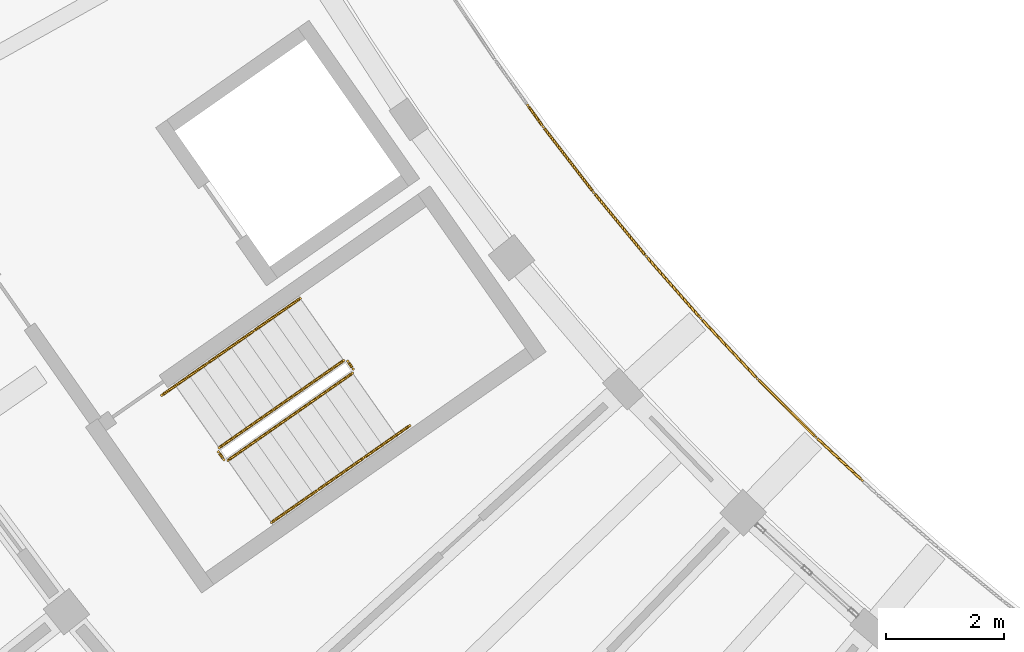
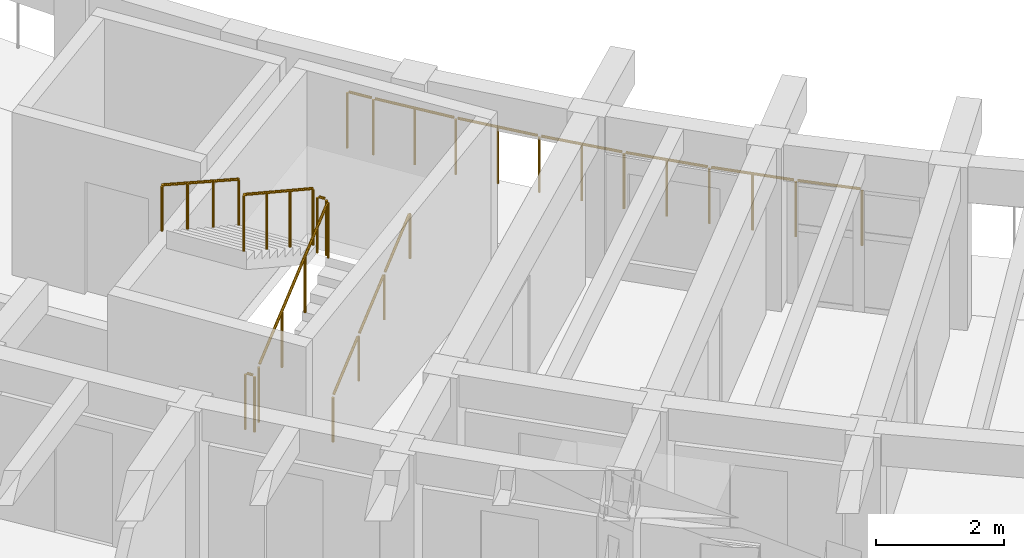
# One storey, part 66 of 81: 11 railings.
"""IFC4 building model written with IfcOpenShell, lengths in metres."""

from ifc_helpers import new_model, si_unit, direction, frame, origin, origin_2d, place, context, subcontext, project, spatial, circle, extrude, material, type_object, element, save


model = new_model("IFC4")

# Units and contexts
model_context = context("Model", 3, precision=1e-05, world=origin(), true_north=direction((0.0, 1.0)))
body_context = subcontext(model_context, "Body", "Model", "MODEL_VIEW")
ifc_project = project(units=[si_unit("LENGTHUNIT", "METRE"), si_unit("AREAUNIT", "SQUARE_METRE"), si_unit("VOLUMEUNIT", "CUBIC_METRE"), si_unit("PLANEANGLEUNIT", "RADIAN"), si_unit("MASSUNIT", "GRAM", prefix="KILO")], contexts=[model_context])

# Site, building, storey
site_placement = place(None, origin())
site = spatial("IfcSite", under=ifc_project, at=site_placement, CompositionType="ELEMENT")
building_placement = place(site_placement, origin())
building = spatial("IfcBuilding", under=site, at=building_placement, Name="Tanwirah Colonnade Gardens", CompositionType="ELEMENT")
storey_placement = place(building_placement, frame((0.0, 0.0, 18.919921875)))
storey = spatial("IfcBuildingStorey", under=building, at=storey_placement, Name="L05", CompositionType="ELEMENT", Elevation=18.919921875)

# Railings
ifc_material_1 = material(Name="Precast concrete C40/50", Category="concrete")
railing_type_1 = type_object("IfcRailingType", Name="BAL-EXT110", PredefinedType="BALUSTRADE", material=ifc_material_1)
railing_1_placement = place(storey_placement, frame((30.484375, 39.403564453125, 0.0)))
element("IfcRailing", 1, at=railing_1_placement, inside=storey, type_object=railing_type_1, Name="Block C L05 Balcony Ribbon Balustrade 3", PredefinedType="BALUSTRADE", context=body_context, shape_type="SweptSolid", body=[
    extrude(circle(Radius=0.02392578125, at=origin_2d()), frame((0.018310546875, -0.025390625, 1.076171875), z_axis=(0.583501451955, -0.812112095444, 0.0), x_axis=(0.812112095444, 0.583501451955, 0.0)), (0.0, 0.0, 1.0), 0.385986328125),
    extrude(circle(Radius=0.02392578125, at=origin_2d()), frame((0.2822265625, -0.391357421875, 1.076171875), z_axis=(0.609651512095, -0.792669561546, 0.0), x_axis=(0.792669561546, 0.609651512095, 0.0)), (0.0, 0.0, 1.0), 1.33154296875),
    extrude(circle(Radius=0.02392578125, at=origin_2d()), frame((1.134521484375, -1.49755859375, 1.076171875), z_axis=(0.635209885743, -0.77233956331, 0.0), x_axis=(0.77233956331, 0.635209885743, 0.0)), (0.0, 0.0, 1.0), 1.33154296875),
    extrude(circle(Radius=0.02392578125, at=origin_2d()), frame((2.022705078125, -2.57568359375, 1.076171875), z_axis=(0.660288280901, -0.751012240982, 0.0), x_axis=(0.751012240982, 0.660288280901, 0.0)), (0.0, 0.0, 1.0), 1.33154296875),
    extrude(circle(Radius=0.02392578125, at=origin_2d()), frame((2.945556640625, -3.623779296875, 1.076171875), z_axis=(0.684424509294, -0.729083733928, 0.0), x_axis=(0.729083733928, 0.684424509294, 0.0)), (0.0, 0.0, 1.0), 1.33154296875),
    extrude(circle(Radius=0.02392578125, at=origin_2d()), frame((3.902099609375, -4.641357421875, 1.076171875), z_axis=(0.707894448134, -0.706318235855, 0.0), x_axis=(0.706318235855, 0.707894448134, 0.0)), (0.0, 0.0, 1.0), 1.33154296875),
    extrude(circle(Radius=0.02392578125, at=origin_2d()), frame((4.8916015625, -5.627197265625, 1.076171875), z_axis=(0.730536879767, -0.682873243948, 0.0), x_axis=(0.682873243948, 0.730536879767, 0.0)), (0.0, 0.0, 1.0), 1.0029296875),
    extrude(circle(Radius=0.02099609375, at=origin_2d()), origin(), (0.0, 0.0, 1.0), 1.049072265625),
    extrude(circle(Radius=0.02099609375, at=origin_2d()), frame((0.26171875, -0.3642578125, 0.0)), (0.0, 0.0, 1.0), 1.049072265625),
    extrude(circle(Radius=0.02099609375, at=origin_2d()), frame((0.68798828125, -0.9189453125, 0.0)), (0.0, 0.0, 1.0), 1.049072265625),
    extrude(circle(Radius=0.02099609375, at=origin_2d()), frame((1.113037109375, -1.471435546875, 0.0)), (0.0, 0.0, 1.0), 1.049072265625),
    extrude(circle(Radius=0.02099609375, at=origin_2d()), frame((1.5576171875, -2.01171875, 0.0)), (0.0, 0.0, 1.0), 1.049072265625),
    extrude(circle(Radius=0.02099609375, at=origin_2d()), frame((2.000244140625, -2.550048828125, 0.0)), (0.0, 0.0, 1.0), 1.049072265625),
    extrude(circle(Radius=0.02099609375, at=origin_2d()), frame((2.462158203125, -3.07568359375, 0.0)), (0.0, 0.0, 1.0), 1.049072265625),
    extrude(circle(Radius=0.02099609375, at=origin_2d()), frame((2.92236328125, -3.59912109375, 0.0)), (0.0, 0.0, 1.0), 1.049072265625),
    extrude(circle(Radius=0.02099609375, at=origin_2d()), frame((3.401123046875, -4.109375, 0.0)), (0.0, 0.0, 1.0), 1.049072265625),
    extrude(circle(Radius=0.02099609375, at=origin_2d()), frame((3.878173828125, -4.617431640625, 0.0)), (0.0, 0.0, 1.0), 1.049072265625),
    extrude(circle(Radius=0.02099609375, at=origin_2d()), frame((4.373291015625, -5.11181640625, 0.0)), (0.0, 0.0, 1.0), 1.049072265625),
    extrude(circle(Radius=0.02099609375, at=origin_2d()), frame((4.86669921875, -5.60400390625, 0.0)), (0.0, 0.0, 1.0), 1.049072265625),
    extrude(circle(Radius=0.02099609375, at=origin_2d()), frame((5.64697265625, -6.33349609375, 0.0)), (0.0, 0.0, 1.0), 1.049072265625),
])
ifc_material_2 = material(Name="Powder-coated galvanized steel", Category="steel")
railing_type_2 = type_object("IfcRailingType", Name="GRD-ST110", PredefinedType="GUARDRAIL", material=ifc_material_2)
railing_2_placement = place(storey_placement, frame((25.426513671875, 33.40869140625, 0.16796875)))
element("IfcRailing", 2, at=railing_2_placement, inside=storey, type_object=railing_type_2, Name="L05 ST-C1 stair guard 1", PredefinedType="GUARDRAIL", context=body_context, shape_type="SweptSolid", body=[
    extrude(circle(Radius=0.02392578125, at=origin_2d()), frame((0.02197265625, 0.015380859375, 1.092041015625), z_axis=(0.70564325276, 0.494097866736, 0.507872915128), x_axis=(-0.573577325805, 0.819151421486, 0.0)), (0.0, 0.0, 1.0), 2.9150390625),
    extrude(circle(Radius=0.02099609375, at=origin_2d()), origin(), (0.0, 0.0, 1.0), 1.049072265625),
    extrude(circle(Radius=0.02099609375, at=origin_2d()), frame((0.700439453125, 0.490478515625, 0.504150390625)), (0.0, 0.0, 1.0), 1.049072265625),
    extrude(circle(Radius=0.02099609375, at=origin_2d()), frame((1.400634765625, 0.980712890625, 1.008056640625)), (0.0, 0.0, 1.0), 1.049072265625),
    extrude(circle(Radius=0.02099609375, at=origin_2d()), frame((2.10107421875, 1.47119140625, 1.51220703125)), (0.0, 0.0, 1.0), 1.049072265625),
])
railing_3_placement = place(storey_placement, frame((27.539794921875, 34.94970703125, 1.68017578125)))
element("IfcRailing", 3, at=railing_3_placement, inside=storey, type_object=railing_type_2, Name="L05 ST-C1 stair guard 2", PredefinedType="GUARDRAIL", context=body_context, shape_type="SweptSolid", body=[
    extrude(circle(Radius=0.02392578125, at=origin_2d()), frame((-0.01806640625, 0.025634765625, 1.076171875), z_axis=(-0.57428210862, 0.81865747399, 0.0), x_axis=(-0.81865747399, -0.57428210862, 0.0)), (0.0, 0.0, 1.0), 0.097412109375),
    extrude(circle(Radius=0.02099609375, at=origin_2d()), origin(), (0.0, 0.0, 1.0), 1.049072265625),
    extrude(circle(Radius=0.02099609375, at=origin_2d()), frame((-0.091796875, 0.130859375, 0.0)), (0.0, 0.0, 1.0), 1.049072265625),
])
railing_4_placement = place(storey_placement, frame((27.37841796875, 35.093017578125, 1.84814453125)))
element("IfcRailing", 4, at=railing_4_placement, inside=storey, type_object=railing_type_2, Name="L05 ST-C1 stair guard 3", PredefinedType="GUARDRAIL", context=body_context, shape_type="SweptSolid", body=[
    extrude(circle(Radius=0.02392578125, at=origin_2d()), frame((-0.02197265625, -0.015380859375, 1.092041015625), z_axis=(-0.705672637115, -0.494118441931, 0.507812066193), x_axis=(0.573577325805, -0.819151421486, 0.0)), (0.0, 0.0, 1.0), 2.914794921875),
    extrude(circle(Radius=0.02099609375, at=origin_2d()), origin(), (0.0, 0.0, 1.0), 1.049072265625),
    extrude(circle(Radius=0.02099609375, at=origin_2d()), frame((-0.700439453125, -0.490478515625, 0.50390625)), (0.0, 0.0, 1.0), 1.049072265625),
    extrude(circle(Radius=0.02099609375, at=origin_2d()), frame((-1.400634765625, -0.980712890625, 1.008056640625)), (0.0, 0.0, 1.0), 1.049072265625),
    extrude(circle(Radius=0.02099609375, at=origin_2d()), frame((-2.10107421875, -1.47119140625, 1.511962890625)), (0.0, 0.0, 1.0), 1.049072265625),
])
railing_5_placement = place(storey_placement, frame((25.356689453125, 33.4208984375, 0.0)))
element("IfcRailing", 5, at=railing_5_placement, inside=storey, type_object=railing_type_2, Name="L05 ST-C1 stair guard 4", PredefinedType="GUARDRAIL", context=body_context, shape_type="SweptSolid", body=[
    extrude(circle(Radius=0.02392578125, at=origin_2d()), frame((-0.017822265625, 0.025634765625, 1.076171875), z_axis=(-0.57356471828, 0.819160249246, 0.0), x_axis=(-0.819160249246, -0.57356471828, 0.0)), (0.0, 0.0, 1.0), 0.097412109375),
    extrude(circle(Radius=0.02099609375, at=origin_2d()), origin(), (0.0, 0.0, 1.0), 1.049072265625),
    extrude(circle(Radius=0.02099609375, at=origin_2d()), frame((-0.091796875, 0.131103515625, 0.0)), (0.0, 0.0, 1.0), 1.049072265625),
])
ifc_material_3 = material(Name="Brushed bronze stainless steel", Category="steel")
railing_type_3 = type_object("IfcRailingType", Name="HR-ST090", PredefinedType="HANDRAIL", material=ifc_material_3)
railing_6_placement = place(storey_placement, frame((26.16064453125, 32.360107421875, 0.16796875)))
element("IfcRailing", 6, at=railing_6_placement, inside=storey, type_object=railing_type_3, Name="L05 ST-C1 stair handrail 1", PredefinedType="HANDRAIL", context=body_context, shape_type="SweptSolid", body=[
    extrude(circle(Radius=0.02392578125, at=origin_2d()), frame((0.02197265625, 0.015380859375, 0.891845703125), z_axis=(0.703606519106, 0.492767414699, 0.511974746723), x_axis=(-0.57365206981, 0.819099079967, 0.0)), (0.0, 0.0, 1.0), 1.043212890625),
    extrude(circle(Radius=0.02099609375, at=origin_2d()), origin(), (0.0, 0.0, 1.0), 0.848876953125),
    extrude(circle(Radius=0.02099609375, at=origin_2d()), frame((0.778076171875, 0.544921875, 0.566162109375)), (0.0, 0.0, 1.0), 0.848876953125),
])
railing_7_placement = place(storey_placement, frame((26.938720703125, 32.905029296875, 0.734130859375)))
element("IfcRailing", 7, at=railing_7_placement, inside=storey, type_object=railing_type_3, Name="L05 ST-C1 stair handrail 2", PredefinedType="HANDRAIL", context=body_context, shape_type="SweptSolid", body=[
    extrude(circle(Radius=0.02392578125, at=origin_2d()), frame((0.02197265625, 0.015380859375, 0.891845703125), z_axis=(0.703797483594, 0.492746544348, 0.511732298297), x_axis=(-0.573531324472, 0.819183630115, 0.0)), (0.0, 0.0, 1.0), 1.04345703125),
    extrude(circle(Radius=0.02099609375, at=origin_2d()), origin(), (0.0, 0.0, 1.0), 0.848876953125),
    extrude(circle(Radius=0.02099609375, at=origin_2d()), frame((0.7783203125, 0.544921875, 0.56591796875)), (0.0, 0.0, 1.0), 0.848876953125),
])
railing_8_placement = place(storey_placement, frame((27.717041015625, 33.449951171875, 1.300048828125)))
element("IfcRailing", 8, at=railing_8_placement, inside=storey, type_object=railing_type_3, Name="L05 ST-C1 stair handrail 3", PredefinedType="HANDRAIL", context=body_context, shape_type="SweptSolid", body=[
    extrude(circle(Radius=0.02392578125, at=origin_2d()), frame((0.02197265625, 0.015380859375, 0.891845703125), z_axis=(0.703686044561, 0.492823109966, 0.511811814023), x_axis=(-0.57365206981, 0.819099079967, 0.0)), (0.0, 0.0, 1.0), 1.043212890625),
    extrude(circle(Radius=0.02099609375, at=origin_2d()), origin(), (0.0, 0.0, 1.0), 0.848876953125),
    extrude(circle(Radius=0.02099609375, at=origin_2d()), frame((0.778076171875, 0.544921875, 0.56591796875)), (0.0, 0.0, 1.0), 0.848876953125),
])
railing_9_placement = place(storey_placement, frame((26.644287109375, 36.141357421875, 1.84814453125)))
element("IfcRailing", 9, at=railing_9_placement, inside=storey, type_object=railing_type_3, Name="L05 ST-C1 stair handrail 4", PredefinedType="HANDRAIL", context=body_context, shape_type="SweptSolid", body=[
    extrude(circle(Radius=0.02392578125, at=origin_2d()), frame((-0.02197265625, -0.015380859375, 0.891845703125), z_axis=(-0.703797483594, -0.492746544348, 0.511732298297), x_axis=(0.573531324472, -0.819183630115, 0.0)), (0.0, 0.0, 1.0), 1.04345703125),
    extrude(circle(Radius=0.02099609375, at=origin_2d()), origin(), (0.0, 0.0, 1.0), 0.848876953125),
    extrude(circle(Radius=0.02099609375, at=origin_2d()), frame((-0.7783203125, -0.544921875, 0.56591796875)), (0.0, 0.0, 1.0), 0.848876953125),
])
railing_10_placement = place(storey_placement, frame((25.865966796875, 35.596435546875, 2.4140625)))
element("IfcRailing", 10, at=railing_10_placement, inside=storey, type_object=railing_type_3, Name="L05 ST-C1 stair handrail 5", PredefinedType="HANDRAIL", context=body_context, shape_type="SweptSolid", body=[
    extrude(circle(Radius=0.02392578125, at=origin_2d()), frame((-0.02197265625, -0.015380859375, 0.891845703125), z_axis=(-0.703762611354, -0.492655910239, 0.511867503332), x_axis=(0.573479595945, -0.819219844141, 0.0)), (0.0, 0.0, 1.0), 1.04296875),
    extrude(circle(Radius=0.02099609375, at=origin_2d()), origin(), (0.0, 0.0, 1.0), 0.848876953125),
    extrude(circle(Radius=0.02099609375, at=origin_2d()), frame((-0.778076171875, -0.544677734375, 0.56591796875)), (0.0, 0.0, 1.0), 0.848876953125),
])
railing_11_placement = place(storey_placement, frame((25.087890625, 35.0517578125, 2.97998046875)))
element("IfcRailing", 11, at=railing_11_placement, inside=storey, type_object=railing_type_3, Name="L05 ST-C1 stair handrail 6", PredefinedType="HANDRAIL", context=body_context, shape_type="SweptSolid", body=[
    extrude(circle(Radius=0.02392578125, at=origin_2d()), frame((-0.02197265625, -0.015380859375, 0.891845703125), z_axis=(-0.703717970253, -0.492690875033, 0.511895223656), x_axis=(0.573531324472, -0.819183630115, 0.0)), (0.0, 0.0, 1.0), 1.04345703125),
    extrude(circle(Radius=0.02099609375, at=origin_2d()), origin(), (0.0, 0.0, 1.0), 0.848876953125),
    extrude(circle(Radius=0.02099609375, at=origin_2d()), frame((-0.7783203125, -0.544921875, 0.566162109375)), (0.0, 0.0, 1.0), 0.848876953125),
])

save(model, "model.ifc")
